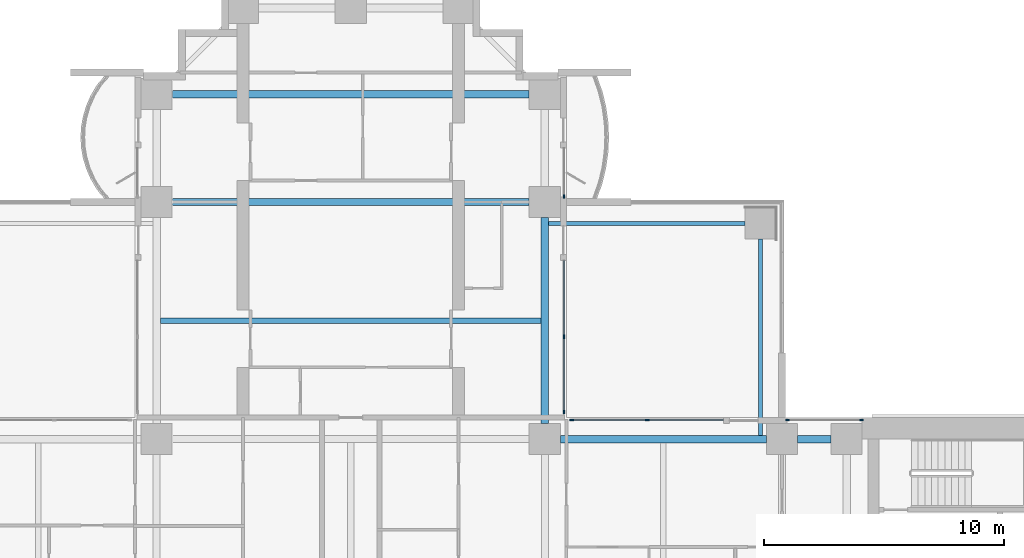
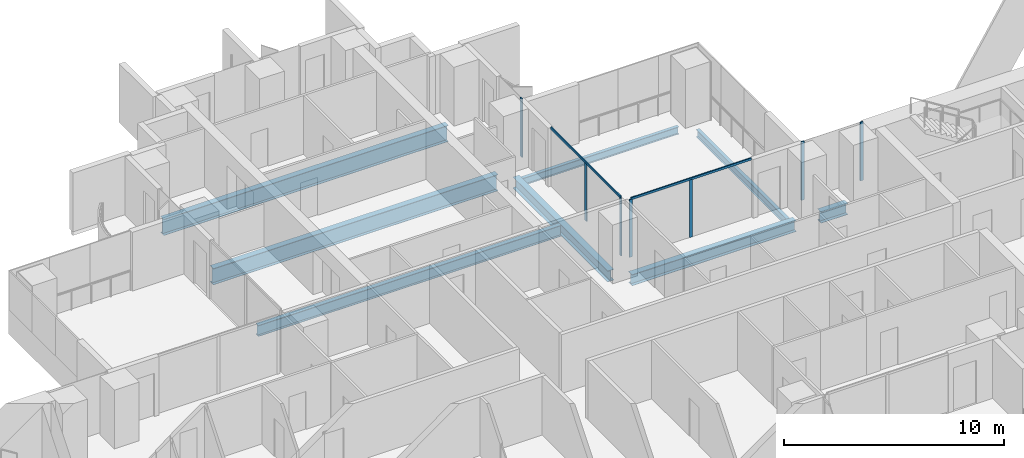
# One storey, part 7 of 21: 9 members, 8 beams, 4 elements without a shape of their own.
"""IFC4 building model written with IfcOpenShell, lengths in metres."""

from ifc_helpers import new_model, si_unit, direction, frame, origin, origin_2d, place, context, subcontext, project, spatial, rectangle, i_section, extrude, material, material_profile, profile_set, type_object, element, aggregate, save


model = new_model("IFC4")

# Units and contexts
model_context = context("Model", 3, precision=1e-05, world=origin(), true_north=direction((0.0, 1.0)))
body_context = subcontext(model_context, "Body", "Model", "MODEL_VIEW")
ifc_project = project(units=[si_unit("LENGTHUNIT", "METRE"), si_unit("AREAUNIT", "SQUARE_METRE"), si_unit("VOLUMEUNIT", "CUBIC_METRE"), si_unit("PLANEANGLEUNIT", "RADIAN"), si_unit("MASSUNIT", "GRAM", prefix="KILO")], contexts=[model_context])

# Site, building, storey
site_placement = place(None, origin())
site = spatial("IfcSite", under=ifc_project, at=site_placement, CompositionType="ELEMENT")
building_placement = place(site_placement, origin())
building = spatial("IfcBuilding", under=site, at=building_placement, Name="Perihelion Cross Residences", CompositionType="ELEMENT")
storey_placement = place(building_placement, frame((0.0, 0.0, 75.0)))
storey = spatial("IfcBuildingStorey", under=building, at=storey_placement, Name="L16", CompositionType="ELEMENT", Elevation=75.0)

# Curtain wall, members
ifc_material_1 = material(Name="Bronze anodised aluminium, tinted glazing", Category="aluminium")
curtain_wall_type = type_object("IfcCurtainWallType", Name="CW1", PredefinedType="NOTDEFINED", material=ifc_material_1)
curtain_wall_1_placement = place(storey_placement, origin())
curtain_wall_1 = element("IfcCurtainWall", 1, at=curtain_wall_1_placement, inside=storey, type_object=curtain_wall_type, Name="Curtain wall CW1 L16 east side north bay 1", PredefinedType="NOTDEFINED")
ifc_material_2 = material(Name="Bronze anodised aluminium", Category="aluminium")
ifc_material_profile_1 = material_profile(ifc_material_2, rectangle(XDim=0.06005859375, YDim=0.159912109375, at=origin_2d()), Name="CW1 mullion")
ifc_profile_set_1 = profile_set([ifc_material_profile_1], Name="Bronze anodised aluminium")
member_type_1 = type_object("IfcMemberType", Name="CW1 mullion", PredefinedType="MULLION", material=ifc_profile_set_1)
member_1_placement = place(storey_placement, frame((21.320068359375, 8.89990234375, 0.0), z_axis=(0.0, 0.0, 1.0), x_axis=(0.0, -1.0, 0.0)))
member_1 = element("IfcMember", 2, at=member_1_placement, type_object=member_type_1, Name="CW1 mullion 1", PredefinedType="MULLION", context=body_context, shape_type="SweptSolid", body=[
    extrude(rectangle(XDim=0.06005859375, YDim=0.159912109375, at=origin_2d()), origin(), (0.0, 0.0, 1.0), 3.25),
])
member_2_placement = place(storey_placement, frame((18.22998046875, 8.89990234375, 0.0), z_axis=(0.0, 0.0, 1.0), x_axis=(0.0, -1.0, 0.0)))
member_2 = element("IfcMember", 3, at=member_2_placement, type_object=member_type_1, Name="CW1 mullion 2", PredefinedType="MULLION", context=body_context, shape_type="SweptSolid", body=[
    extrude(rectangle(XDim=0.06005859375, YDim=0.159912109375, at=origin_2d()), origin(), (0.0, 0.0, 1.0), 3.25),
])
aggregate(curtain_wall_1, [member_1, member_2])

curtain_wall_2_placement = place(storey_placement, origin())
curtain_wall_2 = element("IfcCurtainWall", 4, at=curtain_wall_2_placement, inside=storey, type_object=curtain_wall_type, Name="Curtain wall CW1 L16 east side north bay 2", PredefinedType="NOTDEFINED")
member_3_placement = place(storey_placement, frame((12.375, 8.89990234375, 0.0), z_axis=(0.0, 0.0, 1.0), x_axis=(0.0, -1.0, 0.0)))
member_3 = element("IfcMember", 5, at=member_3_placement, type_object=member_type_1, Name="CW1 mullion 2", PredefinedType="MULLION", context=body_context, shape_type="SweptSolid", body=[
    extrude(rectangle(XDim=0.06005859375, YDim=0.159912109375, at=origin_2d()), origin(), (0.0, 0.0, 1.0), 3.18994140625),
])
member_4_placement = place(storey_placement, frame((9.22998046875, 8.89990234375, 0.0), z_axis=(0.0, 0.0, 1.0), x_axis=(0.0, -1.0, 0.0)))
member_4 = element("IfcMember", 6, at=member_4_placement, type_object=member_type_1, Name="CW1 mullion 3", PredefinedType="MULLION", context=body_context, shape_type="SweptSolid", body=[
    extrude(rectangle(XDim=0.06005859375, YDim=0.159912109375, at=origin_2d()), origin(), (0.0, 0.0, 1.0), 3.18994140625),
])

curtain_wall_3_placement = place(storey_placement, origin())
curtain_wall_3 = element("IfcCurtainWall", 7, at=curtain_wall_3_placement, inside=storey, type_object=curtain_wall_type, Name="Curtain wall CW1 L16 north side east bay 1", PredefinedType="NOTDEFINED")
member_5_placement = place(storey_placement, frame((8.89990234375, 9.22998046875, 0.0), z_axis=(0.0, 0.0, 1.0), x_axis=(-1.0, 0.0, 0.0)))
member_5 = element("IfcMember", 8, at=member_5_placement, type_object=member_type_1, Name="CW1 mullion 1", PredefinedType="MULLION", context=body_context, shape_type="SweptSolid", body=[
    extrude(rectangle(XDim=0.06005859375, YDim=0.159912109375, at=origin_2d()), origin(), (0.0, 0.0, 1.0), 3.18994140625),
])
member_6_placement = place(storey_placement, frame((8.89990234375, 12.375, 0.0), z_axis=(0.0, 0.0, 1.0), x_axis=(-1.0, 0.0, 0.0)))
member_6 = element("IfcMember", 9, at=member_6_placement, type_object=member_type_1, Name="CW1 mullion 2", PredefinedType="MULLION", context=body_context, shape_type="SweptSolid", body=[
    extrude(rectangle(XDim=0.06005859375, YDim=0.159912109375, at=origin_2d()), origin(), (0.0, 0.0, 1.0), 3.18994140625),
])

# Curtain wall, member
curtain_wall_4_placement = place(storey_placement, origin())
curtain_wall_4 = element("IfcCurtainWall", 10, at=curtain_wall_4_placement, inside=storey, type_object=curtain_wall_type, Name="Curtain wall CW1 L16 north side east bay 2", PredefinedType="NOTDEFINED")
member_7_placement = place(storey_placement, frame((8.89990234375, 18.22998046875, 0.0), z_axis=(0.0, 0.0, 1.0), x_axis=(-1.0, 0.0, 0.0)))
member_7 = element("IfcMember", 11, at=member_7_placement, type_object=member_type_1, Name="CW1 mullion 1", PredefinedType="MULLION", context=body_context, shape_type="SweptSolid", body=[
    extrude(rectangle(XDim=0.06005859375, YDim=0.159912109375, at=origin_2d()), origin(), (0.0, 0.0, 1.0), 3.25),
])
aggregate(curtain_wall_4, [member_7])

# Member
ifc_material_3 = material(Name="Bronze anodised aluminium", Category="aluminium")
ifc_material_profile_2 = material_profile(ifc_material_3, rectangle(XDim=0.06005859375, YDim=0.1201171875, at=origin_2d()), Name="CW1 transom")
ifc_profile_set_2 = profile_set([ifc_material_profile_2], Name="Bronze anodised aluminium")
member_type_2 = type_object("IfcMemberType", Name="CW1 transom", PredefinedType="USERDEFINED", material=ifc_profile_set_2)
member_8_placement = place(storey_placement, frame((15.550048828125, 8.89990234375, 3.219970703125), z_axis=(-1.0, 0.0, 0.0), x_axis=(0.0, -1.0, 0.0)))
member_8 = element("IfcMember", 12, at=member_8_placement, type_object=member_type_2, Name="CW1 head transom", ObjectType="TRANSOM", PredefinedType="USERDEFINED", context=body_context, shape_type="SweptSolid", body=[
    extrude(rectangle(XDim=0.06005859375, YDim=0.1201171875, at=origin_2d()), origin(), (0.0, 0.0, 1.0), 6.320068359375),
])

aggregate(curtain_wall_2, [member_3, member_4, member_8])

member_9_placement = place(storey_placement, frame((8.89990234375, 9.22998046875, 3.219970703125), z_axis=(0.0, 1.0, 0.0), x_axis=(-1.0, 0.0, 0.0)))
member_9 = element("IfcMember", 13, at=member_9_placement, type_object=member_type_2, Name="CW1 head transom", ObjectType="TRANSOM", PredefinedType="USERDEFINED", context=body_context, shape_type="SweptSolid", body=[
    extrude(rectangle(XDim=0.06005859375, YDim=0.1201171875, at=origin_2d()), origin(), (0.0, 0.0, 1.0), 6.320068359375),
])

aggregate(curtain_wall_3, [member_5, member_6, member_9])

# Beams
ifc_material_4 = material(Name="Steel S355", Category="steel")
ifc_material_profile_3 = material_profile(ifc_material_4, i_section(OverallWidth=0.177978515625, OverallDepth=0.406005859375, WebThickness=0.0078125, FlangeThickness=0.0126953125, at=origin_2d()), Name="W410x60")
ifc_profile_set_3 = profile_set([ifc_material_profile_3], Name="Steel S355")
beam_type_1 = type_object("IfcBeamType", Name="Core edge beam W410x60", PredefinedType="BEAM", material=ifc_profile_set_3)
for number, where, z_axis, x_axis, name in (
    (14, (17.10009765625, 8.262451171875, -0.452880859375), (0.0, 1.0, 0.0), (-1.0, 0.0, 0.0), "Core edge beam TB2 L16 corner no. 7"),
    (15, (8.262451171875, 17.10009765625, -0.452880859375), (1.0, 0.0, 0.0), (0.0, 1.0, 0.0), "Core edge beam TB2 L16 corner no. 8"),
):
    element("IfcBeam", number, at=place(storey_placement, frame(where, z_axis=z_axis, x_axis=x_axis)), inside=storey, type_object=beam_type_1, Name=name, PredefinedType="BEAM", context=body_context, shape_type="SweptSolid", body=[
        extrude(i_section(OverallWidth=0.177978515625, OverallDepth=0.406005859375, WebThickness=0.0078125, FlangeThickness=0.0126953125, at=origin_2d()), origin(), (0.0, 0.0, 1.0), 8.1875),
    ])
ifc_material_5 = material(Name="Steel S355", Category="steel")
ifc_material_profile_4 = material_profile(ifc_material_5, i_section(OverallWidth=0.324951171875, OverallDepth=0.616943359375, WebThickness=0.013916015625, FlangeThickness=0.021484375, at=origin_2d()), Name="W610x174")
ifc_profile_set_4 = profile_set([ifc_material_profile_4], Name="Steel S355")
beam_type_2 = type_object("IfcBeamType", Name="Edge beam W610x174", PredefinedType="SPANDREL", material=ifc_profile_set_4)
beam_1_placement = place(storey_placement, frame((20.050048828125, 8.10009765625, -0.55859375), z_axis=(-1.0, 0.0, 0.0), x_axis=(0.0, -1.0, 0.0)))
element("IfcBeam", 16, at=beam_1_placement, inside=storey, type_object=beam_type_2, Name="Edge beam SB2 L16 no. 14", PredefinedType="SPANDREL", context=body_context, shape_type="SweptSolid", body=[
    extrude(i_section(OverallWidth=0.324951171875, OverallDepth=0.616943359375, WebThickness=0.013916015625, FlangeThickness=0.021484375, at=origin_2d()), origin(), (0.0, 0.0, 1.0), 1.400146484375),
])
for number, where, z_axis, x_axis, name in (
    (17, (17.35009765625, 8.10009765625, -0.55859375), (-1.0, 0.0, 0.0), (0.0, -1.0, 0.0), "Edge beam SB2 L16 no. 13"),
    (18, (8.10009765625, 8.75, -0.55859375), (0.0, 1.0, 0.0), (-1.0, 0.0, 0.0), "Edge beam SB2 L16 no. 20"),
):
    element("IfcBeam", number, at=place(storey_placement, frame(where, z_axis=z_axis, x_axis=x_axis)), inside=storey, type_object=beam_type_2, Name=name, PredefinedType="SPANDREL", context=body_context, shape_type="SweptSolid", body=[
        extrude(i_section(OverallWidth=0.324951171875, OverallDepth=0.616943359375, WebThickness=0.013916015625, FlangeThickness=0.021484375, at=origin_2d()), origin(), (0.0, 0.0, 1.0), 8.60009765625),
    ])
ifc_material_6 = material(Name="Steel S355", Category="steel")
ifc_material_profile_5 = material_profile(ifc_material_6, i_section(OverallWidth=0.304931640625, OverallDepth=0.904052734375, WebThickness=0.01513671875, FlangeThickness=0.02001953125, at=origin_2d()), Name="W920x201")
ifc_profile_set_5 = profile_set([ifc_material_profile_5], Name="Steel S355")
beam_type_3 = type_object("IfcBeamType", Name="Floor girder W920x201", PredefinedType="BEAM", material=ifc_profile_set_5)
for number, where, z_axis, x_axis, name in (
    (19, (-7.449951171875, 18.0, -0.701904296875), (1.0, 0.0, 0.0), (0.0, 1.0, 0.0), "Girder G2 L16 no. 5"),
    (20, (-7.449951171875, 22.5, -0.701904296875), (1.0, 0.0, 0.0), (0.0, 1.0, 0.0), "Girder G2 L16 no. 6"),
):
    element("IfcBeam", number, at=place(storey_placement, frame(where, z_axis=z_axis, x_axis=x_axis)), inside=storey, type_object=beam_type_3, Name=name, PredefinedType="BEAM", context=body_context, shape_type="SweptSolid", body=[
        extrude(i_section(OverallWidth=0.304931640625, OverallDepth=0.904052734375, WebThickness=0.01513671875, FlangeThickness=0.02001953125, at=origin_2d()), origin(), (0.0, 0.0, 1.0), 14.89990234375),
    ])
ifc_material_7 = material(Name="Steel S355", Category="steel")
ifc_material_profile_6 = material_profile(ifc_material_7, i_section(OverallWidth=0.22900390625, OverallDepth=0.612060546875, WebThickness=0.011962890625, FlangeThickness=0.01953125, at=origin_2d()), Name="W610x125")
ifc_profile_set_6 = profile_set([ifc_material_profile_6], Name="Steel S355")
beam_type_4 = type_object("IfcBeamType", Name="Floor joist W610x125", PredefinedType="JOIST", material=ifc_profile_set_6)
beam_2_placement = place(storey_placement, frame((-7.9375, 13.050048828125, -0.555908203125), z_axis=(1.0, 0.0, 0.0), x_axis=(0.0, 1.0, 0.0)))
element("IfcBeam", 21, at=beam_2_placement, inside=storey, type_object=beam_type_4, Name="Joist J3 L16 no. 4", PredefinedType="JOIST", context=body_context, shape_type="SweptSolid", body=[
    extrude(i_section(OverallWidth=0.22900390625, OverallDepth=0.612060546875, WebThickness=0.011962890625, FlangeThickness=0.01953125, at=origin_2d()), origin(), (0.0, 0.0, 1.0), 15.875),
])

save(model, "model.ifc")
